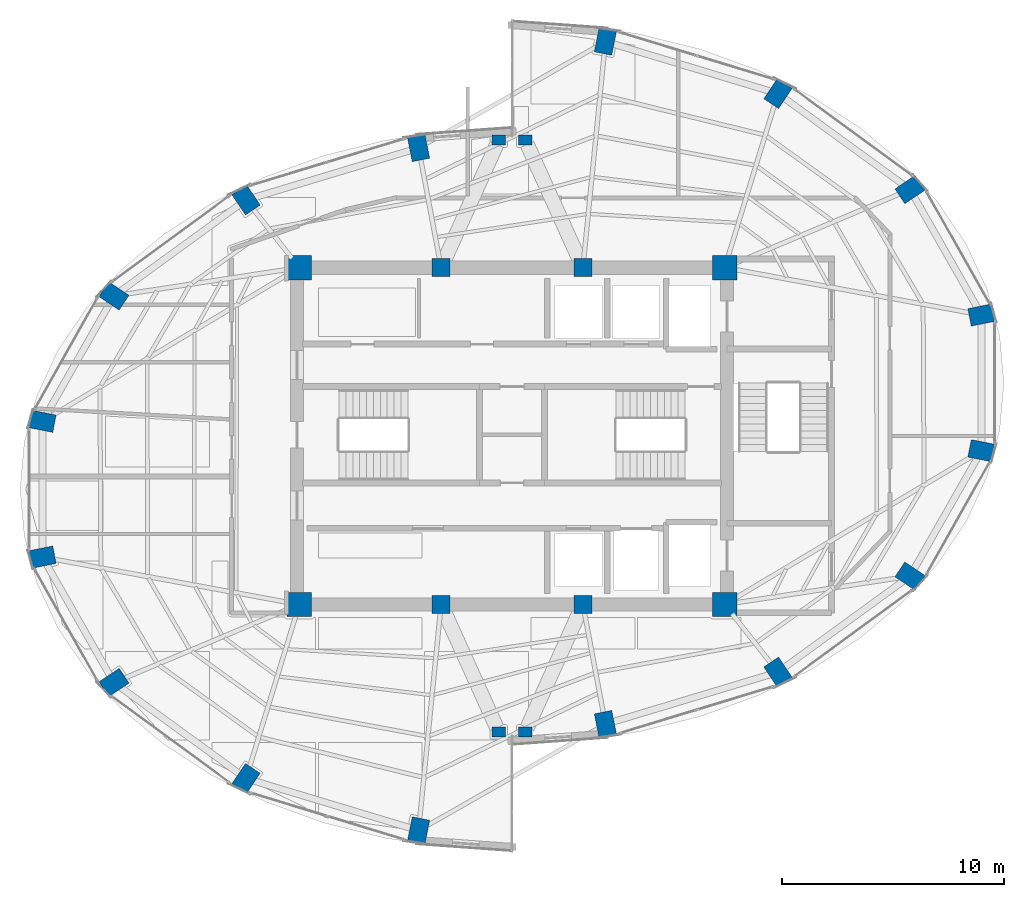
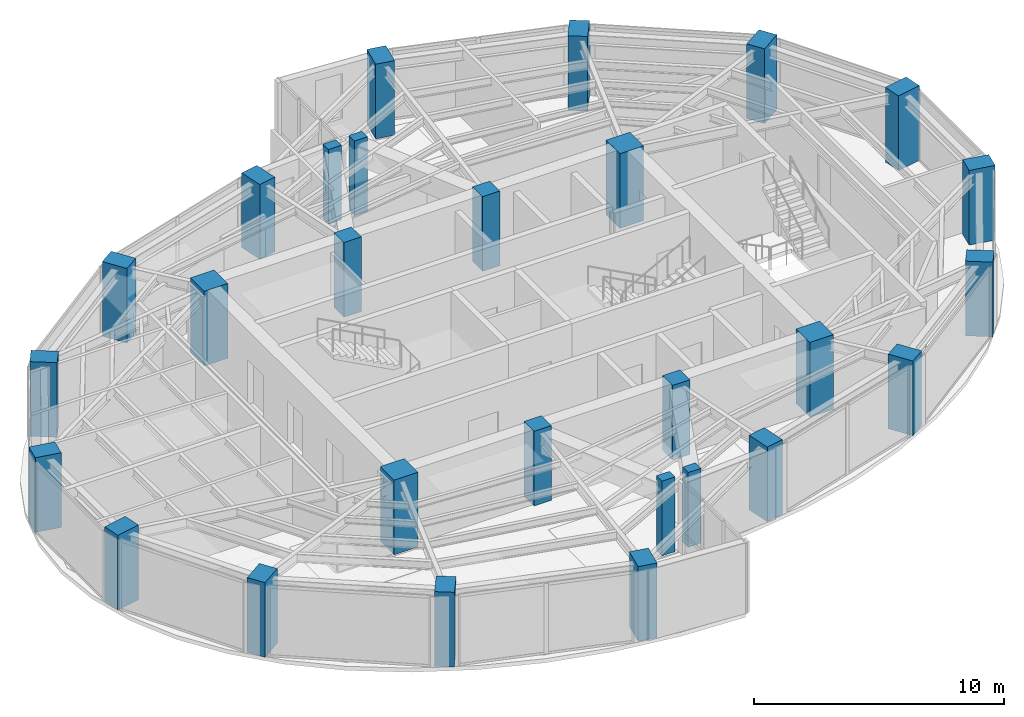
# One storey, part 1 of 23: 28 columns.
"""IFC4 building model written with IfcOpenShell, lengths in metres."""

from ifc_helpers import new_model, si_unit, direction, frame, origin, origin_2d, place, context, subcontext, project, spatial, rectangle, extrude, material, material_profile, profile_set, type_object, element, save


model = new_model("IFC4")

# Units and contexts
model_context = context("Model", 3, precision=1e-05, world=origin(), true_north=direction((0.0, 1.0)))
body_context = subcontext(model_context, "Body", "Model", "MODEL_VIEW")
ifc_project = project(units=[si_unit("LENGTHUNIT", "METRE"), si_unit("AREAUNIT", "SQUARE_METRE"), si_unit("VOLUMEUNIT", "CUBIC_METRE"), si_unit("PLANEANGLEUNIT", "RADIAN"), si_unit("MASSUNIT", "GRAM", prefix="KILO")], contexts=[model_context])

# Site, building, storey
site_placement = place(None, origin())
site = spatial("IfcSite", under=ifc_project, at=site_placement, CompositionType="ELEMENT")
building_placement = place(site_placement, origin())
building = spatial("IfcBuilding", under=site, at=building_placement, Name="Lazwardi Medical Tower", CompositionType="ELEMENT")
storey_placement = place(building_placement, frame((0.0, 0.0, 205.77587890625)))
storey = spatial("IfcBuildingStorey", under=building, at=storey_placement, Name="L53", CompositionType="ELEMENT", Elevation=205.77587890625)

# Columns
ifc_material_1 = material(Name="Concrete C80/95", Category="concrete")
ifc_material_profile_1 = material_profile(ifc_material_1, rectangle(XDim=1.10009765625, YDim=1.10009765625, at=origin_2d()), Name="RC 1100x1100")
ifc_profile_set_1 = profile_set([ifc_material_profile_1], Name="Concrete C80/95")
column_type_1 = type_object("IfcColumnType", Name="COL-CC-L", PredefinedType="COLUMN", material=ifc_profile_set_1)
for number, where, z_axis, x_axis, name in (
    (1, (26.39990234375, 20.39990234375, 0.0), (0.0, 0.0, 1.0), (1.0, 0.0, 0.0), "Core column CC-01 CC1 L53"),
    (2, (45.60009765625, 20.39990234375, 0.0), (0.0, 0.0, 1.0), (1.0, 0.0, 0.0), "Core column CC-01 CC4 L53"),
    (3, (45.60009765625, 35.60009765625, 0.0), (0.0, 0.0, 1.0), (1.0, 0.0, 0.0), "Core column CC-01 CC5 L53"),
    (4, (26.39990234375, 35.60009765625, 0.0), (0.0, 0.0, 1.0), (1.0, 0.0, 0.0), "Core column CC-01 CC8 L53"),
):
    element("IfcColumn", number, at=place(storey_placement, frame(where, z_axis=z_axis, x_axis=x_axis)), inside=storey, type_object=column_type_1, Name=name, PredefinedType="COLUMN", context=body_context, shape_type="SweptSolid", body=[
        extrude(rectangle(XDim=1.10009765625, YDim=1.10009765625, at=origin_2d()), origin(), (0.0, 0.0, 1.0), 3.648193359375),
    ])
ifc_material_2 = material(Name="Concrete C60/75", Category="concrete")
ifc_material_profile_2 = material_profile(ifc_material_2, rectangle(XDim=0.800048828125, YDim=0.800048828125, at=origin_2d()), Name="RC 800x800")
ifc_profile_set_2 = profile_set([ifc_material_profile_2], Name="Concrete C60/75")
column_type_2 = type_object("IfcColumnType", Name="COL-CC-U", PredefinedType="COLUMN", material=ifc_profile_set_2)
for number, where, z_axis, x_axis, name in (
    (5, (32.800048828125, 20.39990234375, 0.0), (0.0, 0.0, 1.0), (1.0, 0.0, 0.0), "Core column CC-03 CC2 L53"),
    (6, (39.199951171875, 20.39990234375, 0.0), (0.0, 0.0, 1.0), (1.0, 0.0, 0.0), "Core column CC-03 CC3 L53"),
    (7, (39.199951171875, 35.60009765625, 0.0), (0.0, 0.0, 1.0), (1.0, 0.0, 0.0), "Core column CC-03 CC6 L53"),
    (8, (32.800048828125, 35.60009765625, 0.0), (0.0, 0.0, 1.0), (1.0, 0.0, 0.0), "Core column CC-03 CC7 L53"),
):
    element("IfcColumn", number, at=place(storey_placement, frame(where, z_axis=z_axis, x_axis=x_axis)), inside=storey, type_object=column_type_2, Name=name, PredefinedType="COLUMN", context=body_context, shape_type="SweptSolid", body=[
        extrude(rectangle(XDim=0.800048828125, YDim=0.800048828125, at=origin_2d()), origin(), (0.0, 0.0, 1.0), 3.648193359375),
    ])
ifc_material_profile_3 = material_profile(ifc_material_2, rectangle(XDim=1.10009765625, YDim=0.800048828125, at=origin_2d()), Name="CFT-RECT 1100x800")
ifc_profile_set_3 = profile_set([ifc_material_profile_3], Name="Concrete C60/75")
column_type_3 = type_object("IfcColumnType", Name="COL-MC-Z4", PredefinedType="COLUMN", material=ifc_profile_set_3)
for number, where, z_axis, x_axis, name in (
    (9, (40.214111328125, 15.001708984375, 0.0), (0.0, 0.0, 1.0), (0.195090322016, -0.980785280403, 0.0), "Mega column MC-06 M01 L53"),
    (10, (48.000244140625, 17.345947265625, 0.0), (0.0, 0.0, 1.0), (0.55557023302, -0.831469612303, 0.0), "Mega column MC-06 M02 L53"),
    (11, (53.959716796875, 21.677490234375, 0.0), (0.0, 0.0, 1.0), (0.831469612303, -0.55557023302, 0.0), "Mega column MC-06 M03 L53"),
    (12, (57.18505859375, 27.337158203125, 0.0), (0.0, 0.0, 1.0), (0.980785280403, -0.195090322016, 0.0), "Mega column MC-06 M04 L53"),
    (13, (57.18505859375, 33.462890625, 0.0), (0.0, 0.0, 1.0), (0.980785280403, 0.195090322016, 0.0), "Mega column MC-06 M05 L53"),
    (14, (53.959716796875, 39.12255859375, 0.0), (0.0, 0.0, 1.0), (0.831469612303, 0.55557023302, 0.0), "Mega column MC-06 M06 L53"),
    (15, (48.000244140625, 43.4541015625, 0.0), (0.0, 0.0, 1.0), (0.55557023302, 0.831469612303, 0.0), "Mega column MC-06 M07 L53"),
    (16, (40.214111328125, 45.79833984375, 0.0), (0.0, 0.0, 1.0), (0.195090322016, 0.980785280403, 0.0), "Mega column MC-06 M08 L53"),
    (17, (31.785888671875, 40.998291015625, 0.0), (0.0, 0.0, 1.0), (-0.195090322016, 0.980785280403, 0.0), "Mega column MC-06 M09 L53"),
    (18, (23.999755859375, 38.654052734375, 0.0), (0.0, 0.0, 1.0), (-0.55557023302, 0.831469612303, 0.0), "Mega column MC-06 M10 L53"),
    (19, (18.040283203125, 34.322509765625, 0.0), (0.0, 0.0, 1.0), (-0.831469612303, 0.55557023302, 0.0), "Mega column MC-06 M11 L53"),
    (20, (14.81494140625, 28.662841796875, 0.0), (0.0, 0.0, 1.0), (-0.980785280403, 0.195090322016, 0.0), "Mega column MC-06 M12 L53"),
    (21, (14.81494140625, 22.537109375, 0.0), (0.0, 0.0, 1.0), (-0.980785280403, -0.195090322016, 0.0), "Mega column MC-06 M13 L53"),
    (22, (18.040283203125, 16.87744140625, 0.0), (0.0, 0.0, 1.0), (-0.831469612303, -0.55557023302, 0.0), "Mega column MC-06 M14 L53"),
    (23, (23.999755859375, 12.5458984375, 0.0), (0.0, 0.0, 1.0), (-0.55557023302, -0.831469612303, 0.0), "Mega column MC-06 M15 L53"),
    (24, (31.785888671875, 10.20166015625, 0.0), (0.0, 0.0, 1.0), (-0.195090322016, -0.980785280403, 0.0), "Mega column MC-06 M16 L53"),
):
    element("IfcColumn", number, at=place(storey_placement, frame(where, z_axis=z_axis, x_axis=x_axis)), inside=storey, type_object=column_type_3, Name=name, PredefinedType="COLUMN", context=body_context, shape_type="SweptSolid", body=[
        extrude(rectangle(XDim=1.10009765625, YDim=0.800048828125, at=origin_2d()), origin(), (0.0, 0.0, 1.0), 3.648193359375),
    ])
ifc_material_profile_4 = material_profile(ifc_material_2, rectangle(XDim=0.60009765625, YDim=0.449951171875, at=origin_2d()), Name="RC 600x450")
ifc_profile_set_4 = profile_set([ifc_material_profile_4], Name="Concrete C60/75")
column_type_4 = type_object("IfcColumnType", Name="COL-PL-IW", PredefinedType="PILASTER", material=ifc_profile_set_4)
for number, where, z_axis, x_axis, name in (
    (25, (35.39990234375, 41.35009765625, 0.0), (0.0, 0.0, 1.0), (1.0, 0.0, 0.0), "Iwan pilaster column PL-C1 PL1 L53"),
    (26, (36.60009765625, 41.35009765625, 0.0), (0.0, 0.0, 1.0), (1.0, 0.0, 0.0), "Iwan pilaster column PL-C1 PL2 L53"),
    (27, (35.39990234375, 14.64990234375, 0.0), (0.0, 0.0, 1.0), (1.0, 0.0, 0.0), "Iwan pilaster column PL-C1 PL3 L53"),
    (28, (36.60009765625, 14.64990234375, 0.0), (0.0, 0.0, 1.0), (1.0, 0.0, 0.0), "Iwan pilaster column PL-C1 PL4 L53"),
):
    element("IfcColumn", number, at=place(storey_placement, frame(where, z_axis=z_axis, x_axis=x_axis)), inside=storey, type_object=column_type_4, Name=name, PredefinedType="PILASTER", context=body_context, shape_type="SweptSolid", body=[
        extrude(rectangle(XDim=0.60009765625, YDim=0.449951171875, at=origin_2d()), origin(), (0.0, 0.0, 1.0), 3.648193359375),
    ])

save(model, "model.ifc")
